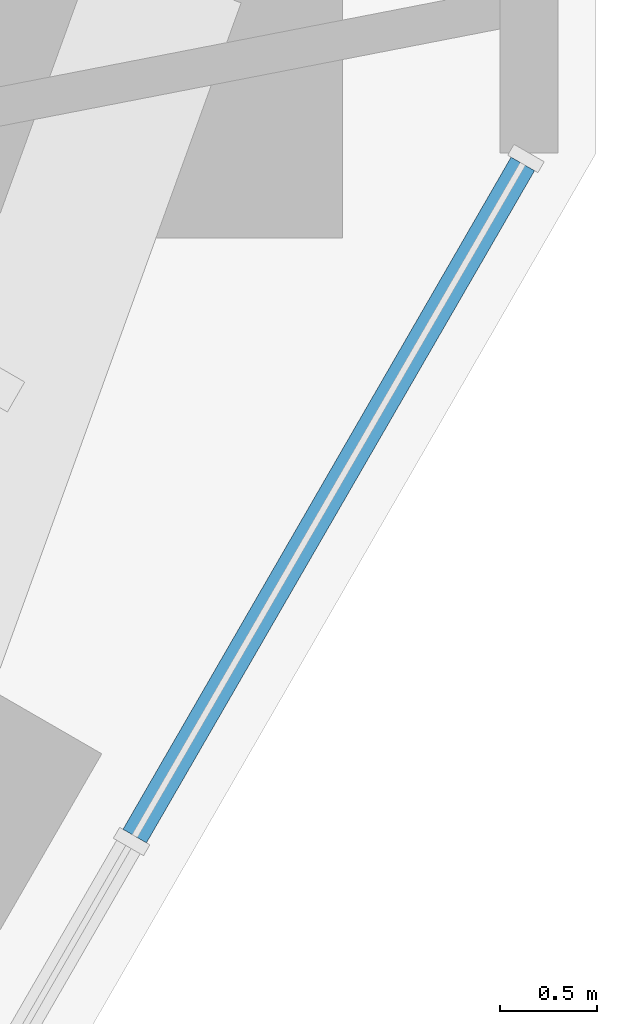
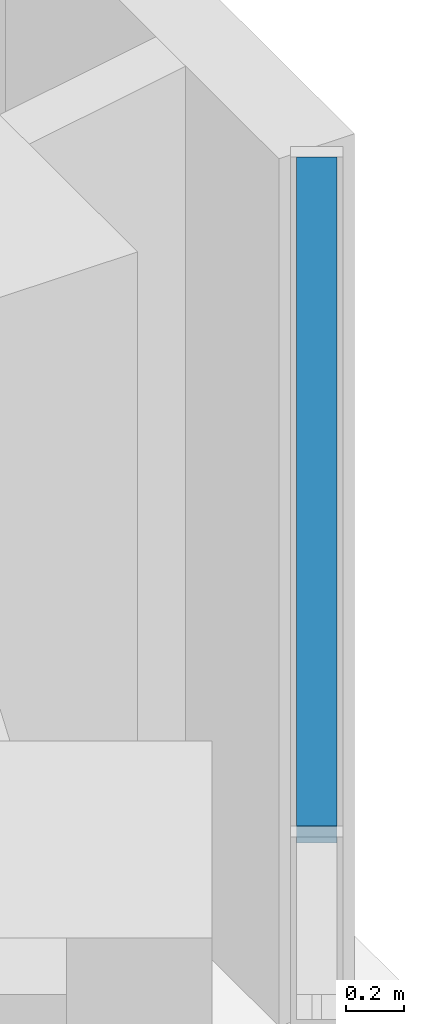
# One storey, part 6 of 17: 1 member, 1 element without a shape of its own.
"""IFC4 building model written with IfcOpenShell, lengths in metres."""

from ifc_helpers import new_model, si_unit, direction, frame, origin, origin_2d, place, context, subcontext, project, spatial, rectangle, extrude, material, material_profile, profile_set, type_object, element, aggregate, save


model = new_model("IFC4")

# Units and contexts
model_context = context("Model", 3, precision=1e-05, world=origin(), true_north=direction((0.0, 1.0)))
body_context = subcontext(model_context, "Body", "Model", "MODEL_VIEW")
ifc_project = project(units=[si_unit("LENGTHUNIT", "METRE"), si_unit("AREAUNIT", "SQUARE_METRE"), si_unit("VOLUMEUNIT", "CUBIC_METRE"), si_unit("PLANEANGLEUNIT", "RADIAN"), si_unit("MASSUNIT", "GRAM", prefix="KILO")], contexts=[model_context])

# Site, building, storey
site_placement = place(None, origin())
site = spatial("IfcSite", under=ifc_project, at=site_placement, CompositionType="ELEMENT")
building_placement = place(site_placement, origin())
building = spatial("IfcBuilding", under=site, at=building_placement, Name="Sandreach Pilgrim Tower", CompositionType="ELEMENT")
storey_placement = place(building_placement, frame((0.0, 0.0, 142.39990234375)))
storey = spatial("IfcBuildingStorey", under=building, at=storey_placement, Name="L35", CompositionType="ELEMENT", Elevation=142.39990234375)

# Curtain wall, member
ifc_material_1 = material(Name="Aluminium framed curtain wall", Category="aluminium")
curtain_wall_type = type_object("IfcCurtainWallType", Name="Hotel tower curtain wall", PredefinedType="NOTDEFINED", material=ifc_material_1)
curtain_wall_placement = place(storey_placement, origin())
curtain_wall = element("IfcCurtainWall", 1, at=curtain_wall_placement, inside=storey, type_object=curtain_wall_type, Name="CW-2 L35 SE", PredefinedType="NOTDEFINED")
ifc_material_2 = material(Name="Aluminium extrusion", Category="aluminium")
ifc_material_profile = material_profile(ifc_material_2, rectangle(XDim=0.139892578125, YDim=0.070068359375, at=origin_2d()), Name="CW-2T 140X70")
ifc_profile_set = profile_set([ifc_material_profile], Name="Aluminium extrusion")
member_type = type_object("IfcMemberType", Name="CW-2 transom", PredefinedType="USERDEFINED", material=ifc_profile_set)
member_placement = place(storey_placement, frame((28.6884765625, 4.7021484375, 3.60498046875), z_axis=(-0.500015851672, -0.866016251624, 0.0), x_axis=(0.866016251624, -0.500015851672, 0.0)))
member = element("IfcMember", 2, at=member_placement, type_object=member_type, Name="CW-2 head transom 1", ObjectType="TRANSOM", PredefinedType="USERDEFINED", context=body_context, shape_type="SweptSolid", body=[
    extrude(rectangle(XDim=0.139892578125, YDim=0.070068359375, at=origin_2d()), origin(), (0.0, 0.0, 1.0), 4.009521484375),
])
aggregate(curtain_wall, [member])

save(model, "model.ifc")
